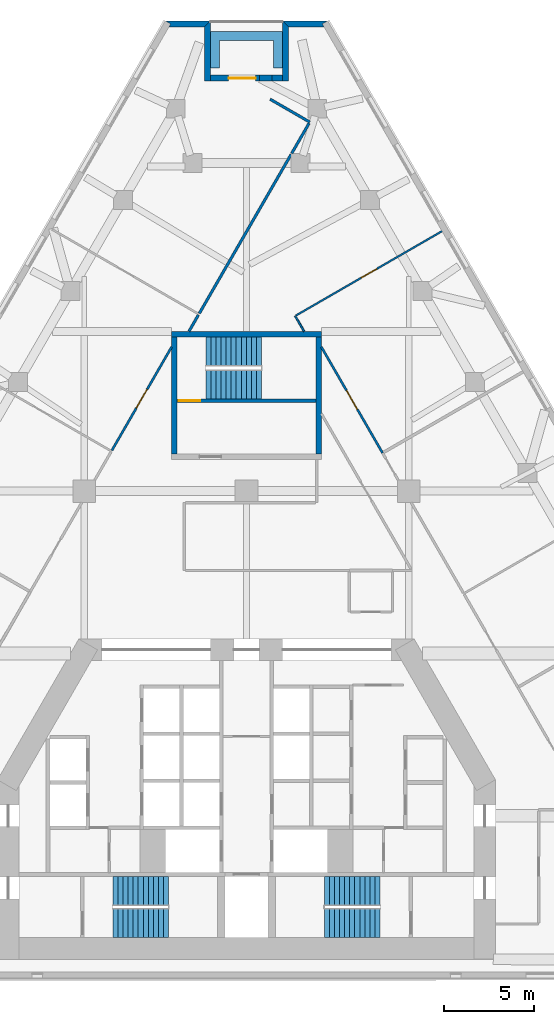
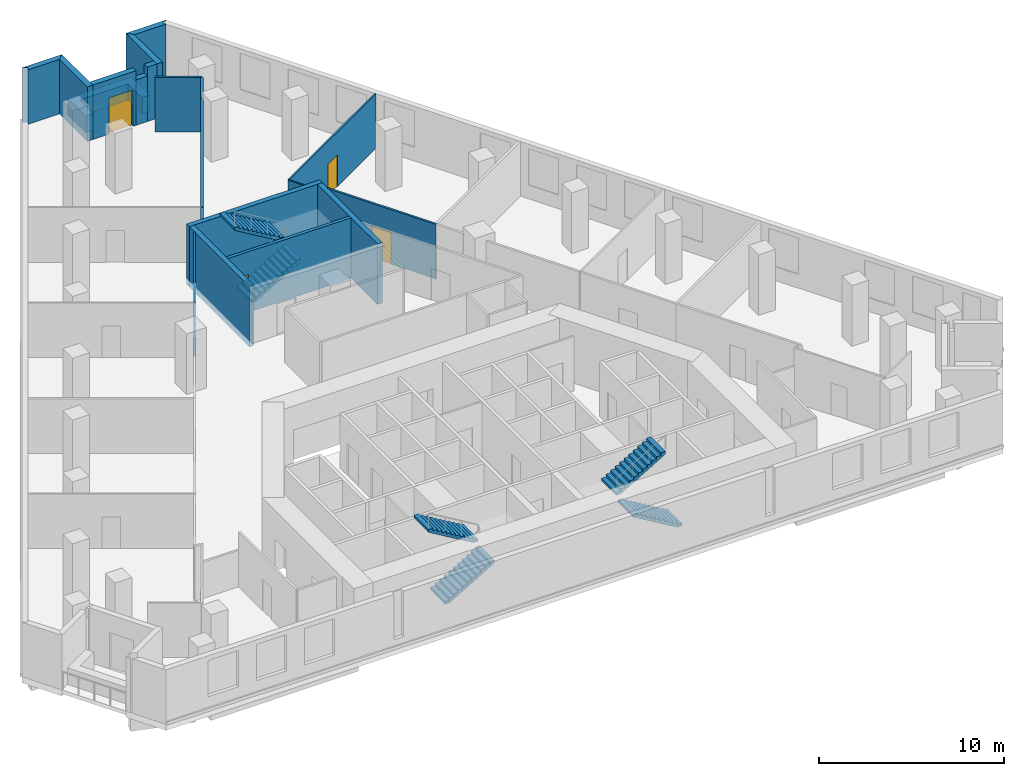
# One storey, part 8 of 9: 20 walls, 6 stair flights, 5 doors, 5 openings, 3 elements without a shape of their own.
"""IFC4 building model written with IfcOpenShell, lengths in metres."""

from ifc_helpers import new_model, si_unit, direction, frame, frame_2d, origin, place, context, subcontext, project, spatial, polyline, rectangle, outline, extrude, material, layer, layer_set, type_object, element, fill, aggregate, save


model = new_model("IFC4")

# Units and contexts
model_context = context("Model", 3, precision=1e-05, world=origin(), true_north=direction((0.0, 1.0)))
body_context = subcontext(model_context, "Body", "Model", "MODEL_VIEW")
ifc_project = project(units=[si_unit("LENGTHUNIT", "METRE"), si_unit("AREAUNIT", "SQUARE_METRE"), si_unit("VOLUMEUNIT", "CUBIC_METRE"), si_unit("PLANEANGLEUNIT", "RADIAN"), si_unit("MASSUNIT", "GRAM", prefix="KILO")], contexts=[model_context])

# Site, building, storey
site_placement = place(None, origin())
site = spatial("IfcSite", under=ifc_project, at=site_placement, CompositionType="ELEMENT")
building_placement = place(site_placement, origin())
building = spatial("IfcBuilding", under=site, at=building_placement, Name="Fogline Exchange Tower", CompositionType="ELEMENT")
storey_placement = place(building_placement, frame((0.0, 0.0, 96.10009765625)))
storey = spatial("IfcBuildingStorey", under=building, at=storey_placement, Name="L20", CompositionType="ELEMENT", Elevation=96.10009765625)

# Wall, opening, door
ifc_material_1 = material(Name="Concrete C40", Category="concrete")
ifc_layer_1 = layer(ifc_material_1, 0.199951171875)
ifc_layer_set_1 = layer_set([ifc_layer_1], Name="CW20R")
wall_type_1 = type_object("IfcWallType", Name="CW20R", PredefinedType="SOLIDWALL", material=ifc_layer_set_1)
wall_1_placement = place(storey_placement, frame((-3.85009765625, 32.007080078125, -0.400146484375), z_axis=(0.0, 0.0, 1.0), x_axis=(1.0, 0.0, 0.0)))
wall_1 = element("IfcWall", 1, at=wall_1_placement, inside=storey, type_object=wall_type_1, Name="Stair enclosure wall ST3", PredefinedType="SOLIDWALL", context=body_context, shape_type="SweptSolid", body=[
    extrude(rectangle(XDim=7.7001953125, YDim=0.199951171875, at=frame_2d((3.85009765625, 0.0))), origin(), (0.0, 0.0, 1.0), 4.0),
])
opening_1_placement = place(wall_1_placement, frame((0.10009765625, 0.0, 0.39990234375)))
opening_1 = element("IfcOpeningElement", 2, at=opening_1_placement, cuts=wall_1, Name="Opening T06-C023", PredefinedType="OPENING", context=body_context, shape_type="SweptSolid", body=[
    extrude(rectangle(XDim=1.199951171875, YDim=2.10009765625, at=frame_2d((0.60009765625, 1.050048828125))), frame((0.0, 0.10986328125, 0.0), z_axis=(0.0, -1.0, 0.0), x_axis=(1.0, 0.0, 0.0)), (0.0, 0.0, 1.0), 0.219970703125),
])
ifc_material_2 = material(Name="Steel and timber fire door", Category="steel")
door_type_1 = type_object("IfcDoorType", Name="D-ST1", OperationType="SINGLE_SWING_LEFT", PredefinedType="DOOR", material=ifc_material_2)
door_1_placement = place(opening_1_placement, origin())
door_1 = element("IfcDoor", 3, at=door_1_placement, inside=storey, type_object=door_type_1, Name="Stair door ST3", OperationType="SINGLE_SWING_LEFT", OverallHeight=2.10009765625, OverallWidth=1.199951171875, PredefinedType="DOOR", context=body_context, shape_type="SweptSolid", body=[
    extrude(rectangle(XDim=1.199951171875, YDim=2.10009765625, at=frame_2d((0.60009765625, 1.050048828125))), frame((0.0, 0.02490234375, 0.0), z_axis=(0.0, -1.0, 0.0), x_axis=(1.0, 0.0, 0.0)), (0.0, 0.0, 1.0), 0.050048828125),
])
fill(opening_1, door_1)

# Walls
ifc_layer_2 = layer(ifc_material_1, 0.300048828125)
ifc_layer_set_2 = layer_set([ifc_layer_2], Name="CW30")
wall_type_2 = type_object("IfcWallType", Name="CW30", PredefinedType="SOLIDWALL", material=ifc_layer_set_2)
wall_2_placement = place(storey_placement, frame((-4.14990234375, 35.70703125, -0.400146484375), z_axis=(0.0, 0.0, 1.0), x_axis=(1.0, 0.0, 0.0)))
element("IfcWall", 4, at=wall_2_placement, inside=storey, type_object=wall_type_2, Name="Stair enclosure wall ST3", PredefinedType="SOLIDWALL", context=body_context, shape_type="SweptSolid", body=[
    extrude(rectangle(XDim=8.2998046875, YDim=0.300048828125, at=frame_2d((4.14990234375, 0.0))), origin(), (0.0, 0.0, 1.0), 4.0),
])
for number, where, z_axis, x_axis, name in (
    (5, (-4.0, 29.056884765625, -0.400146484375), (0.0, 0.0, 1.0), (0.0, 1.0, 0.0), "Stair enclosure wall ST3"),
    (6, (4.0, 29.056884765625, -0.400146484375), (0.0, 0.0, 1.0), (0.0, 1.0, 0.0), "Stair enclosure wall ST3"),
):
    element("IfcWall", number, at=place(storey_placement, frame(where, z_axis=z_axis, x_axis=x_axis)), inside=storey, type_object=wall_type_2, Name=name, PredefinedType="SOLIDWALL", context=body_context, shape_type="SweptSolid", body=[
        extrude(rectangle(XDim=6.5, YDim=0.300048828125, at=frame_2d((3.25, 0.0))), origin(), (0.0, 0.0, 1.0), 4.0),
    ])
ifc_material_3 = material(Name="Brick masonry", Category="masonry")
ifc_layer_3 = layer(ifc_material_3, 0.340087890625)
ifc_layer_set_3 = layer_set([ifc_layer_3], Name="FW1")
wall_type_3 = type_object("IfcWallType", Name="FW1", PredefinedType="SOLIDWALL", material=ifc_layer_set_3)
wall_3_placement = place(storey_placement, origin())
element("IfcWall", 7, at=wall_3_placement, inside=storey, type_object=wall_type_3, Name="Brick wall L20 N-c1", PredefinedType="SOLIDWALL", context=body_context, shape_type="SweptSolid", body=[
    extrude(outline(polyline([(1.9990234375, 53.067138671875), (4.5009765625, 53.067138671875), (4.501220703125, 53.066650390625), (4.206298828125, 52.896484375), (4.3046875, 52.72607421875), (2.33984375, 52.72607421875), (1.998779296875, 53.06689453125), (1.9990234375, 53.067138671875)])), origin(), (0.0, 0.0, 1.0), 3.599853515625),
])
wall_4_placement = place(storey_placement, origin())
element("IfcWall", 8, at=wall_4_placement, inside=storey, type_object=wall_type_3, Name="Brick wall L20 N-s1", PredefinedType="SOLIDWALL", context=body_context, shape_type="SweptSolid", body=[
    extrude(outline(polyline([(2.340576171875, 49.72607421875), (1.99951171875, 49.72607421875), (1.99951171875, 53.067626953125), (1.999755859375, 53.06787109375), (2.340576171875, 52.726806640625), (2.340576171875, 49.72607421875)])), origin(), (0.0, 0.0, 1.0), 3.599853515625),
])
wall_5_placement = place(storey_placement, frame((2.0, 49.896728515625, 0.0), z_axis=(0.0, 0.0, 1.0), x_axis=(-1.0, 0.0, 0.0)))
element("IfcWall", 9, at=wall_5_placement, inside=storey, type_object=wall_type_3, Name="Brick wall L20 N-bk", PredefinedType="SOLIDWALL", context=body_context, shape_type="SweptSolid", body=[
    extrude(rectangle(XDim=0.589599609375, YDim=0.340087890625, at=frame_2d((0.294921875, 0.0))), origin(), (0.0, 0.0, 1.0), 3.599853515625),
])
wall_6_placement = place(storey_placement, frame((1.410400390625, 49.896728515625, 0.0), z_axis=(0.0, 0.0, 1.0), x_axis=(-1.0, 0.0, 0.0)))
element("IfcWall", 10, at=wall_6_placement, inside=storey, type_object=wall_type_3, Name="Brick wall L20 N-bk", PredefinedType="SOLIDWALL", context=body_context, shape_type="SweptSolid", body=[
    extrude(rectangle(XDim=0.701904296875, YDim=0.340087890625, at=frame_2d((0.35107421875, 0.0))), origin(), (0.0, 0.0, 1.0), 3.0),
])

# Wall, opening, door
wall_7_placement = place(storey_placement, frame((0.70849609375, 49.896728515625, 0.0), z_axis=(0.0, 0.0, 1.0), x_axis=(-1.0, 0.0, 0.0)))
wall_7 = element("IfcWall", 11, at=wall_7_placement, inside=storey, type_object=wall_type_3, Name="Brick wall L20 N-bk", PredefinedType="SOLIDWALL", context=body_context, shape_type="SweptSolid", body=[
    extrude(rectangle(XDim=2.70849609375, YDim=0.340087890625, at=frame_2d((1.354248046875, 0.0))), origin(), (0.0, 0.0, 1.0), 3.599853515625),
])
opening_2_placement = place(wall_7_placement, frame((0.199951171875, 0.0, 0.0)))
opening_2 = element("IfcOpeningElement", 12, at=opening_2_placement, cuts=wall_7, Name="Opening T06-E141", PredefinedType="OPENING", context=body_context, shape_type="SweptSolid", body=[
    extrude(rectangle(XDim=1.5, YDim=2.39990234375, at=frame_2d((0.75, 1.199951171875))), frame((0.0, 0.18017578125, 0.0), z_axis=(0.0, -1.0, 0.0), x_axis=(1.0, 0.0, 0.0)), (0.0, 0.0, 1.0), 0.360107421875),
])
ifc_material_4 = material(Name="Aluminium and glass", Category="aluminium")
door_type_2 = type_object("IfcDoorType", Name="ED4", OperationType="SINGLE_SWING_LEFT", PredefinedType="DOOR", material=ifc_material_4)
door_2_placement = place(opening_2_placement, frame((1.5, 0.0, 0.0), z_axis=(0.0, 0.0, 1.0), x_axis=(-1.0, 0.0, 0.0)))
door_2 = element("IfcDoor", 13, at=door_2_placement, inside=storey, type_object=door_type_2, Name="Balcony door L20 N", OperationType="DOUBLE_DOOR_SINGLE_SWING", OverallHeight=2.39990234375, OverallWidth=1.5, PredefinedType="DOOR", context=body_context, shape_type="SweptSolid", body=[
    extrude(rectangle(XDim=1.5, YDim=2.39990234375, at=frame_2d((0.75, 1.199951171875))), frame((0.0, 0.02490234375, 0.0), z_axis=(0.0, -1.0, 0.0), x_axis=(1.0, 0.0, 0.0)), (0.0, 0.0, 1.0), 0.050048828125),
])
fill(opening_2, door_2)

# Walls
wall_8_placement = place(storey_placement, origin())
element("IfcWall", 14, at=wall_8_placement, inside=storey, type_object=wall_type_3, Name="Brick wall L20 N-s2", PredefinedType="SOLIDWALL", context=body_context, shape_type="SweptSolid", body=[
    extrude(outline(polyline([(-1.99951171875, 53.067626953125), (-1.99951171875, 49.72607421875), (-2.340576171875, 49.72607421875), (-2.340576171875, 52.726806640625), (-1.999755859375, 53.06787109375), (-1.99951171875, 53.067626953125)])), origin(), (0.0, 0.0, 1.0), 3.599853515625),
])
wall_9_placement = place(storey_placement, origin())
element("IfcWall", 15, at=wall_9_placement, inside=storey, type_object=wall_type_3, Name="Brick wall L20 N-c2", PredefinedType="SOLIDWALL", context=body_context, shape_type="SweptSolid", body=[
    extrude(outline(polyline([(-4.3046875, 52.72607421875), (-4.206298828125, 52.896484375), (-4.501220703125, 53.066650390625), (-4.5009765625, 53.067138671875), (-1.9990234375, 53.067138671875), (-1.998779296875, 53.06689453125), (-2.33984375, 52.72607421875), (-4.3046875, 52.72607421875)])), origin(), (0.0, 0.0, 1.0), 3.599853515625),
])
ifc_material_5 = material(Name="Concrete C30", Category="concrete")
ifc_layer_4 = layer(ifc_material_5, 0.199951171875)
ifc_layer_set_4 = layer_set([ifc_layer_4], Name="PL1")
wall_type_4 = type_object("IfcWallType", Name="PL1", PredefinedType="USERDEFINED", material=ifc_layer_set_4)
wall_10_placement = place(storey_placement, origin())
element("IfcWall", 16, at=wall_10_placement, inside=storey, type_object=wall_type_4, Name="PLANTER balcony L20 N", ObjectType="PLANTER", PredefinedType="USERDEFINED", context=body_context, shape_type="SweptSolid", body=[
    extrude(outline(polyline([(-1.5, 52.466796875), (-2.0, 52.466796875), (-2.0, 51.966796875), (-2.0, 50.466796875), (-1.5, 50.466796875), (-1.5, 51.966796875), (1.5, 51.966796875), (1.5, 50.466796875), (2.0, 50.466796875), (2.0, 51.966796875), (2.0, 52.466796875), (1.5, 52.466796875), (-1.5, 52.466796875)])), origin(), (0.0, 0.0, 1.0), 1.099853515625),
])
ifc_material_6 = material(Name="Plasterboard partition, 2 layers each side on steel studs", Category="steel")
ifc_layer_5 = layer(ifc_material_6, 0.10009765625)
ifc_layer_set_5 = layer_set([ifc_layer_5], Name="PW1")
wall_type_5 = type_object("IfcWallType", Name="PW1", PredefinedType="PARTITIONING", material=ifc_layer_set_5)
wall_11_placement = place(storey_placement, frame((3.189208984375, 35.85693359375, 0.0), z_axis=(0.0, 0.0, 1.0), x_axis=(-0.499901420094, 0.866082311439, 0.0)))
element("IfcWall", 17, at=wall_11_placement, inside=storey, type_object=wall_type_5, Name="wall-L20-W032", PredefinedType="PARTITIONING", context=body_context, shape_type="SweptSolid", body=[
    extrude(rectangle(XDim=0.984130859375, YDim=0.10009765625, at=frame_2d((0.4921875, 0.0))), origin(), (0.0, 0.0, 1.0), 3.599853515625),
])

# Wall, opening, door
wall_12_placement = place(storey_placement, frame((2.740478515625, 36.734130859375, 0.0), z_axis=(0.0, 0.0, 1.0), x_axis=(0.866025136707, 0.500000462592, 0.0)))
wall_12 = element("IfcWall", 18, at=wall_12_placement, inside=storey, type_object=wall_type_5, Name="wall-L20-W033", PredefinedType="PARTITIONING", context=body_context, shape_type="SweptSolid", body=[
    extrude(rectangle(XDim=9.35009765625, YDim=0.10009765625, at=frame_2d((4.675048828125, 0.0))), origin(), (0.0, 0.0, 1.0), 3.599853515625),
])
opening_3_placement = place(wall_12_placement, frame((4.175048828125, 0.0, 0.0)))
opening_3 = element("IfcOpeningElement", 19, at=opening_3_placement, cuts=wall_12, Name="Opening T06-D014", PredefinedType="OPENING", context=body_context, shape_type="SweptSolid", body=[
    extrude(rectangle(XDim=1.0, YDim=2.10009765625, at=frame_2d((0.5, 1.050048828125))), frame((0.0, 0.06005859375, 0.0), z_axis=(0.0, -1.0, 0.0), x_axis=(1.0, 0.0, 0.0)), (0.0, 0.0, 1.0), 0.1201171875),
])
ifc_material_7 = material(Name="Timber door leaf with steel frame", Category="steel")
door_type_3 = type_object("IfcDoorType", Name="D1", OperationType="SINGLE_SWING_LEFT", PredefinedType="DOOR", material=ifc_material_7)
door_3_placement = place(opening_3_placement, frame((1.0, 0.0, 0.0), z_axis=(0.0, 0.0, 1.0), x_axis=(-1.0, 0.0, 0.0)))
door_3 = element("IfcDoor", 20, at=door_3_placement, inside=storey, type_object=door_type_3, Name="door-L20-D014", OperationType="SINGLE_SWING_RIGHT", OverallHeight=2.10009765625, OverallWidth=1.0, PredefinedType="DOOR", context=body_context, shape_type="SweptSolid", body=[
    extrude(rectangle(XDim=1.0, YDim=2.10009765625, at=frame_2d((0.5, 1.050048828125))), frame((0.0, 0.02490234375, 0.0), z_axis=(0.0, -1.0, 0.0), x_axis=(1.0, 0.0, 0.0)), (0.0, 0.0, 1.0), 0.050048828125),
])
fill(opening_3, door_3)

ifc_material_8 = material(Name="Plasterboard corridor partition with mineral wool, 2 layers each side")
ifc_layer_6 = layer(ifc_material_8, 0.125)
ifc_layer_set_6 = layer_set([ifc_layer_6], Name="PW2")
wall_type_6 = type_object("IfcWallType", Name="PW2", PredefinedType="PARTITIONING", material=ifc_layer_set_6)
wall_13_placement = place(storey_placement, frame((-7.460693359375, 29.25830078125, 0.0), z_axis=(0.0, 0.0, 1.0), x_axis=(0.49998947903, 0.866031477984, 0.0)))
wall_13 = element("IfcWall", 21, at=wall_13_placement, inside=storey, type_object=wall_type_6, Name="wall-L20-W010", PredefinedType="PARTITIONING", context=body_context, shape_type="SweptSolid", body=[
    extrude(rectangle(XDim=6.621826171875, YDim=0.125, at=frame_2d((3.31103515625, 0.0))), origin(), (0.0, 0.0, 1.0), 3.599853515625),
])
opening_4_placement = place(wall_13_placement, frame((2.7109375, 0.0, 0.0)))
opening_4 = element("IfcOpeningElement", 22, at=opening_4_placement, cuts=wall_13, Name="Opening T06-D004", PredefinedType="OPENING", context=body_context, shape_type="SweptSolid", body=[
    extrude(rectangle(XDim=1.199951171875, YDim=2.10009765625, at=frame_2d((0.60009765625, 1.050048828125))), frame((0.0, 0.072509765625, 0.0), z_axis=(0.0, -1.0, 0.0), x_axis=(1.0, 0.0, 0.0)), (0.0, 0.0, 1.0), 0.14501953125),
])
ifc_material_9 = material(Name="Fire-rated glazed door leaf with steel frame", Category="steel")
door_type_4 = type_object("IfcDoorType", Name="D5", OperationType="SINGLE_SWING_LEFT", PredefinedType="DOOR", material=ifc_material_9)
door_4_placement = place(opening_4_placement, origin())
door_4 = element("IfcDoor", 23, at=door_4_placement, inside=storey, type_object=door_type_4, Name="door-L20-D004", OperationType="SINGLE_SWING_LEFT", OverallHeight=2.10009765625, OverallWidth=1.199951171875, PredefinedType="DOOR", context=body_context, shape_type="SweptSolid", body=[
    extrude(rectangle(XDim=1.199951171875, YDim=2.10009765625, at=frame_2d((0.60009765625, 1.050048828125))), frame((0.0, 0.02490234375, 0.0), z_axis=(0.0, -1.0, 0.0), x_axis=(1.0, 0.0, 0.0)), (0.0, 0.0, 1.0), 0.050048828125),
])
fill(opening_4, door_4)

wall_14_placement = place(storey_placement, frame((4.14990234375, 34.992919921875, 0.0), z_axis=(0.0, 0.0, 1.0), x_axis=(0.500019286615, -0.866014268366, 0.0)))
wall_14 = element("IfcWall", 24, at=wall_14_placement, inside=storey, type_object=wall_type_6, Name="wall-L20-W022", PredefinedType="PARTITIONING", context=body_context, shape_type="SweptSolid", body=[
    extrude(rectangle(XDim=6.787353515625, YDim=0.125, at=frame_2d((3.3935546875, 0.0))), origin(), (0.0, 0.0, 1.0), 3.599853515625),
])
opening_5_placement = place(wall_14_placement, frame((2.793701171875, 0.0, 0.0)))
opening_5 = element("IfcOpeningElement", 25, at=opening_5_placement, cuts=wall_14, Name="Opening T06-D010", PredefinedType="OPENING", context=body_context, shape_type="SweptSolid", body=[
    extrude(rectangle(XDim=1.199951171875, YDim=2.10009765625, at=frame_2d((0.60009765625, 1.050048828125))), frame((0.0, 0.072509765625, 0.0), z_axis=(0.0, -1.0, 0.0), x_axis=(1.0, 0.0, 0.0)), (0.0, 0.0, 1.0), 0.14501953125),
])
door_5_placement = place(opening_5_placement, origin())
door_5 = element("IfcDoor", 26, at=door_5_placement, inside=storey, type_object=door_type_4, Name="door-L20-D010", OperationType="SINGLE_SWING_RIGHT", OverallHeight=2.10009765625, OverallWidth=1.199951171875, PredefinedType="DOOR", context=body_context, shape_type="SweptSolid", body=[
    extrude(rectangle(XDim=1.199951171875, YDim=2.10009765625, at=frame_2d((0.60009765625, 1.050048828125))), frame((0.0, 0.02490234375, 0.0), z_axis=(0.0, -1.0, 0.0), x_axis=(1.0, 0.0, 0.0)), (0.0, 0.0, 1.0), 0.050048828125),
])
fill(opening_5, door_5)

# Walls
ifc_material_10 = material(Name="Plasterboard demising partition with mineral wool and acoustic board")
ifc_layer_7 = layer(ifc_material_10, 0.14990234375)
ifc_layer_set_7 = layer_set([ifc_layer_7], Name="PW3")
wall_type_7 = type_object("IfcWallType", Name="PW3", PredefinedType="PARTITIONING", material=ifc_layer_set_7)
wall_15_placement = place(storey_placement, frame((-2.614501953125, 36.8525390625, 0.0), z_axis=(0.0, 0.0, 1.0), x_axis=(0.500011041907, 0.866019028643, 0.0)))
element("IfcWall", 27, at=wall_15_placement, inside=storey, type_object=wall_type_7, Name="wall-L20-W034", PredefinedType="PARTITIONING", context=body_context, shape_type="SweptSolid", body=[
    extrude(rectangle(XDim=10.178955078125, YDim=0.14990234375, at=frame_2d((5.08935546875, 0.0))), origin(), (0.0, 0.0, 1.0), 3.599853515625),
])
wall_16_placement = place(storey_placement, frame((2.506103515625, 45.7216796875, 0.0), z_axis=(0.0, 0.0, 1.0), x_axis=(0.499963437846, 0.866046511925, 0.0)))
element("IfcWall", 28, at=wall_16_placement, inside=storey, type_object=wall_type_7, Name="wall-L20-W035", PredefinedType="PARTITIONING", context=body_context, shape_type="SweptSolid", body=[
    extrude(rectangle(XDim=1.929443359375, YDim=0.14990234375, at=frame_2d((0.96484375, 0.0))), origin(), (0.0, 0.0, 1.0), 3.599853515625),
])
wall_17_placement = place(storey_placement, frame((3.50830078125, 47.45751953125, 0.0), z_axis=(0.0, 0.0, 1.0), x_axis=(-0.8660171257, 0.500014337789, 0.0)))
element("IfcWall", 29, at=wall_17_placement, inside=storey, type_object=wall_type_7, Name="wall-L20-W036", PredefinedType="PARTITIONING", context=body_context, shape_type="SweptSolid", body=[
    extrude(rectangle(XDim=2.5341796875, YDim=0.14990234375, at=frame_2d((1.26708984375, 0.0))), origin(), (0.0, 0.0, 1.0), 3.599853515625),
])
wall_18_placement = place(storey_placement, frame((-3.189208984375, 35.85693359375, 0.0), z_axis=(0.0, 0.0, 1.0), x_axis=(0.500044870432, 0.865999496279, 0.0)))
element("IfcWall", 30, at=wall_18_placement, inside=storey, type_object=wall_type_7, Name="wall-L20-W037", PredefinedType="PARTITIONING", context=body_context, shape_type="SweptSolid", body=[
    extrude(rectangle(XDim=1.048828125, YDim=0.14990234375, at=frame_2d((0.5244140625, 0.0))), origin(), (0.0, 0.0, 1.0), 3.599853515625),
])

# Stair, stair flights
stair_type = type_object("IfcStairType", Name="STR24-1667", PredefinedType="HALF_TURN_STAIR", material=ifc_material_1)
stair_1_placement = place(storey_placement, origin())
stair_1 = element("IfcStair", 31, at=stair_1_placement, inside=storey, type_object=stair_type, Name="Stair ST1", PredefinedType="HALF_TURN_STAIR")
stair_flight_type = type_object("IfcStairFlightType", Name="SF12-1667", PredefinedType="STRAIGHT", material=ifc_material_1)
stair_flight_1_placement = place(storey_placement, frame((-7.39990234375, 3.050048828125, 0.0), z_axis=(0.0, 0.0, 1.0), x_axis=(1.0, 0.0, 0.0)))
stair_flight_1 = element("IfcStairFlight", 32, at=stair_flight_1_placement, type_object=stair_flight_type, Name="ST1 flight 1", NumberOfRisers=12, NumberOfTreads=11, PredefinedType="STRAIGHT", RiserHeight=0.166666667, TreadLength=0.28, context=body_context, shape_type="SweptSolid", body=[
    extrude(outline(polyline([(0.0, 0.0), (0.0, 0.166748046875), (0.280029296875, 0.166748046875), (0.280029296875, 0.333251953125), (0.56005859375, 0.333251953125), (0.56005859375, 0.5), (0.840087890625, 0.5), (0.840087890625, 0.666748046875), (1.1201171875, 0.666748046875), (1.1201171875, 0.833251953125), (1.39990234375, 0.833251953125), (1.39990234375, 1.0), (1.679931640625, 1.0), (1.679931640625, 1.166748046875), (1.9599609375, 1.166748046875), (1.9599609375, 1.333251953125), (2.239990234375, 1.333251953125), (2.239990234375, 1.5), (2.52001953125, 1.5), (2.52001953125, 1.666748046875), (2.800048828125, 1.666748046875), (2.800048828125, 1.833251953125), (3.080078125, 1.833251953125), (3.080078125, 2.0), (3.080078125, 1.658935546875), (0.29296875, 0.0), (0.0, 0.0)])), frame((0.0, 0.800048828125, 0.0), z_axis=(0.0, -1.0, 0.0), x_axis=(1.0, 0.0, 0.0)), (0.0, 0.0, 1.0), 1.60009765625),
])
stair_flight_2_placement = place(storey_placement, frame((-4.320068359375, 4.85009765625, 2.0), z_axis=(0.0, 0.0, 1.0), x_axis=(-1.0, 0.0, 0.0)))
stair_flight_2 = element("IfcStairFlight", 33, at=stair_flight_2_placement, type_object=stair_flight_type, Name="ST1 flight 2", NumberOfRisers=12, NumberOfTreads=11, PredefinedType="STRAIGHT", RiserHeight=0.166666667, TreadLength=0.28, context=body_context, shape_type="SweptSolid", body=[
    extrude(outline(polyline([(0.0, 0.0), (0.0, 0.166748046875), (0.280029296875, 0.166748046875), (0.280029296875, 0.333251953125), (0.56005859375, 0.333251953125), (0.56005859375, 0.5), (0.840087890625, 0.5), (0.840087890625, 0.666748046875), (1.1201171875, 0.666748046875), (1.1201171875, 0.833251953125), (1.39990234375, 0.833251953125), (1.39990234375, 1.0), (1.679931640625, 1.0), (1.679931640625, 1.166748046875), (1.9599609375, 1.166748046875), (1.9599609375, 1.333251953125), (2.239990234375, 1.333251953125), (2.239990234375, 1.5), (2.52001953125, 1.5), (2.52001953125, 1.666748046875), (2.800048828125, 1.666748046875), (2.800048828125, 1.833251953125), (3.080078125, 1.833251953125), (3.080078125, 2.0), (3.080078125, 1.658935546875), (0.29296875, 0.0), (0.0, 0.0)])), frame((0.0, 0.800048828125, 0.0), z_axis=(0.0, -1.0, 0.0), x_axis=(1.0, 0.0, 0.0)), (0.0, 0.0, 1.0), 1.60009765625),
])
aggregate(stair_1, [stair_flight_1, stair_flight_2])

stair_2_placement = place(storey_placement, origin())
stair_2 = element("IfcStair", 34, at=stair_2_placement, inside=storey, type_object=stair_type, Name="Stair ST2", PredefinedType="HALF_TURN_STAIR")
stair_flight_3_placement = place(storey_placement, frame((7.39990234375, 3.050048828125, 0.0), z_axis=(0.0, 0.0, 1.0), x_axis=(-1.0, 0.0, 0.0)))
stair_flight_3 = element("IfcStairFlight", 35, at=stair_flight_3_placement, type_object=stair_flight_type, Name="ST2 flight 1", NumberOfRisers=12, NumberOfTreads=11, PredefinedType="STRAIGHT", RiserHeight=0.166666667, TreadLength=0.28, context=body_context, shape_type="SweptSolid", body=[
    extrude(outline(polyline([(0.0, 0.0), (0.0, 0.166748046875), (0.280029296875, 0.166748046875), (0.280029296875, 0.333251953125), (0.56005859375, 0.333251953125), (0.56005859375, 0.5), (0.840087890625, 0.5), (0.840087890625, 0.666748046875), (1.1201171875, 0.666748046875), (1.1201171875, 0.833251953125), (1.39990234375, 0.833251953125), (1.39990234375, 1.0), (1.679931640625, 1.0), (1.679931640625, 1.166748046875), (1.9599609375, 1.166748046875), (1.9599609375, 1.333251953125), (2.239990234375, 1.333251953125), (2.239990234375, 1.5), (2.52001953125, 1.5), (2.52001953125, 1.666748046875), (2.800048828125, 1.666748046875), (2.800048828125, 1.833251953125), (3.080078125, 1.833251953125), (3.080078125, 2.0), (3.080078125, 1.658935546875), (0.29296875, 0.0), (0.0, 0.0)])), frame((0.0, 0.800048828125, 0.0), z_axis=(0.0, -1.0, 0.0), x_axis=(1.0, 0.0, 0.0)), (0.0, 0.0, 1.0), 1.60009765625),
])
stair_flight_4_placement = place(storey_placement, frame((4.320068359375, 4.85009765625, 2.0), z_axis=(0.0, 0.0, 1.0), x_axis=(1.0, 0.0, 0.0)))
stair_flight_4 = element("IfcStairFlight", 36, at=stair_flight_4_placement, type_object=stair_flight_type, Name="ST2 flight 2", NumberOfRisers=12, NumberOfTreads=11, PredefinedType="STRAIGHT", RiserHeight=0.166666667, TreadLength=0.28, context=body_context, shape_type="SweptSolid", body=[
    extrude(outline(polyline([(0.0, 0.0), (0.0, 0.166748046875), (0.280029296875, 0.166748046875), (0.280029296875, 0.333251953125), (0.56005859375, 0.333251953125), (0.56005859375, 0.5), (0.840087890625, 0.5), (0.840087890625, 0.666748046875), (1.1201171875, 0.666748046875), (1.1201171875, 0.833251953125), (1.39990234375, 0.833251953125), (1.39990234375, 1.0), (1.679931640625, 1.0), (1.679931640625, 1.166748046875), (1.9599609375, 1.166748046875), (1.9599609375, 1.333251953125), (2.239990234375, 1.333251953125), (2.239990234375, 1.5), (2.52001953125, 1.5), (2.52001953125, 1.666748046875), (2.800048828125, 1.666748046875), (2.800048828125, 1.833251953125), (3.080078125, 1.833251953125), (3.080078125, 2.0), (3.080078125, 1.658935546875), (0.29296875, 0.0), (0.0, 0.0)])), frame((0.0, 0.800048828125, 0.0), z_axis=(0.0, -1.0, 0.0), x_axis=(1.0, 0.0, 0.0)), (0.0, 0.0, 1.0), 1.60009765625),
])
aggregate(stair_2, [stair_flight_3, stair_flight_4])

stair_3_placement = place(storey_placement, origin())
stair_3 = element("IfcStair", 37, at=stair_3_placement, inside=storey, type_object=stair_type, Name="Stair ST3", PredefinedType="HALF_TURN_STAIR")
stair_flight_5_placement = place(storey_placement, frame((-2.25, 32.906982421875, 0.0), z_axis=(0.0, 0.0, 1.0), x_axis=(1.0, 0.0, 0.0)))
stair_flight_5 = element("IfcStairFlight", 38, at=stair_flight_5_placement, type_object=stair_flight_type, Name="ST3 flight 1", NumberOfRisers=12, NumberOfTreads=11, PredefinedType="STRAIGHT", RiserHeight=0.166666667, TreadLength=0.28, context=body_context, shape_type="SweptSolid", body=[
    extrude(outline(polyline([(0.0, 0.0), (0.0, 0.166748046875), (0.280029296875, 0.166748046875), (0.280029296875, 0.333251953125), (0.56005859375, 0.333251953125), (0.56005859375, 0.5), (0.840087890625, 0.5), (0.840087890625, 0.666748046875), (1.1201171875, 0.666748046875), (1.1201171875, 0.833251953125), (1.39990234375, 0.833251953125), (1.39990234375, 1.0), (1.679931640625, 1.0), (1.679931640625, 1.166748046875), (1.9599609375, 1.166748046875), (1.9599609375, 1.333251953125), (2.239990234375, 1.333251953125), (2.239990234375, 1.5), (2.52001953125, 1.5), (2.52001953125, 1.666748046875), (2.800048828125, 1.666748046875), (2.800048828125, 1.833251953125), (3.080078125, 1.833251953125), (3.080078125, 2.0), (3.080078125, 1.658935546875), (0.29296875, 0.0), (0.0, 0.0)])), frame((0.0, 0.800048828125, 0.0), z_axis=(0.0, -1.0, 0.0), x_axis=(1.0, 0.0, 0.0)), (0.0, 0.0, 1.0), 1.60009765625),
])
stair_flight_6_placement = place(storey_placement, frame((0.830078125, 34.757080078125, 2.0), z_axis=(0.0, 0.0, 1.0), x_axis=(-1.0, 0.0, 0.0)))
stair_flight_6 = element("IfcStairFlight", 39, at=stair_flight_6_placement, type_object=stair_flight_type, Name="ST3 flight 2", NumberOfRisers=12, NumberOfTreads=11, PredefinedType="STRAIGHT", RiserHeight=0.166666667, TreadLength=0.28, context=body_context, shape_type="SweptSolid", body=[
    extrude(outline(polyline([(0.0, 0.0), (0.0, 0.166748046875), (0.280029296875, 0.166748046875), (0.280029296875, 0.333251953125), (0.56005859375, 0.333251953125), (0.56005859375, 0.5), (0.840087890625, 0.5), (0.840087890625, 0.666748046875), (1.1201171875, 0.666748046875), (1.1201171875, 0.833251953125), (1.39990234375, 0.833251953125), (1.39990234375, 1.0), (1.679931640625, 1.0), (1.679931640625, 1.166748046875), (1.9599609375, 1.166748046875), (1.9599609375, 1.333251953125), (2.239990234375, 1.333251953125), (2.239990234375, 1.5), (2.52001953125, 1.5), (2.52001953125, 1.666748046875), (2.800048828125, 1.666748046875), (2.800048828125, 1.833251953125), (3.080078125, 1.833251953125), (3.080078125, 2.0), (3.080078125, 1.658935546875), (0.29296875, 0.0), (0.0, 0.0)])), frame((0.0, 0.800048828125, 0.0), z_axis=(0.0, -1.0, 0.0), x_axis=(1.0, 0.0, 0.0)), (0.0, 0.0, 1.0), 1.60009765625),
])
aggregate(stair_3, [stair_flight_5, stair_flight_6])

save(model, "model.ifc")
